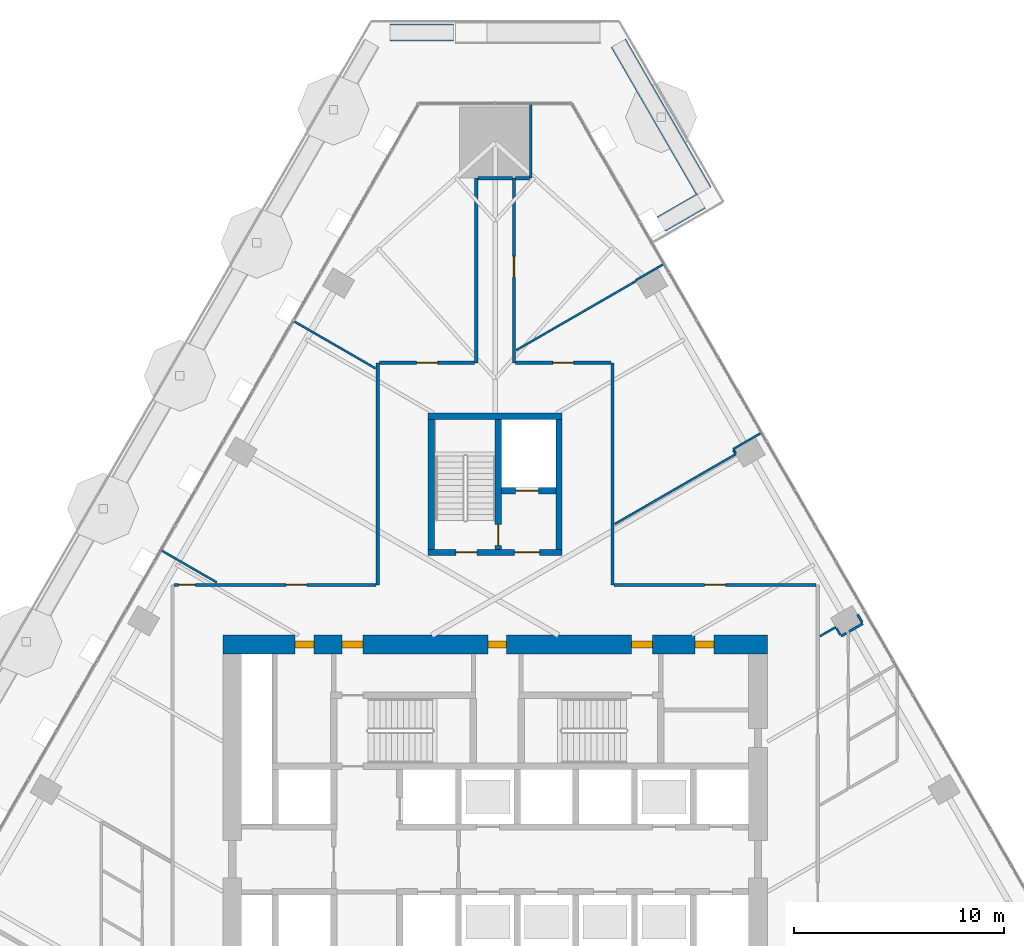
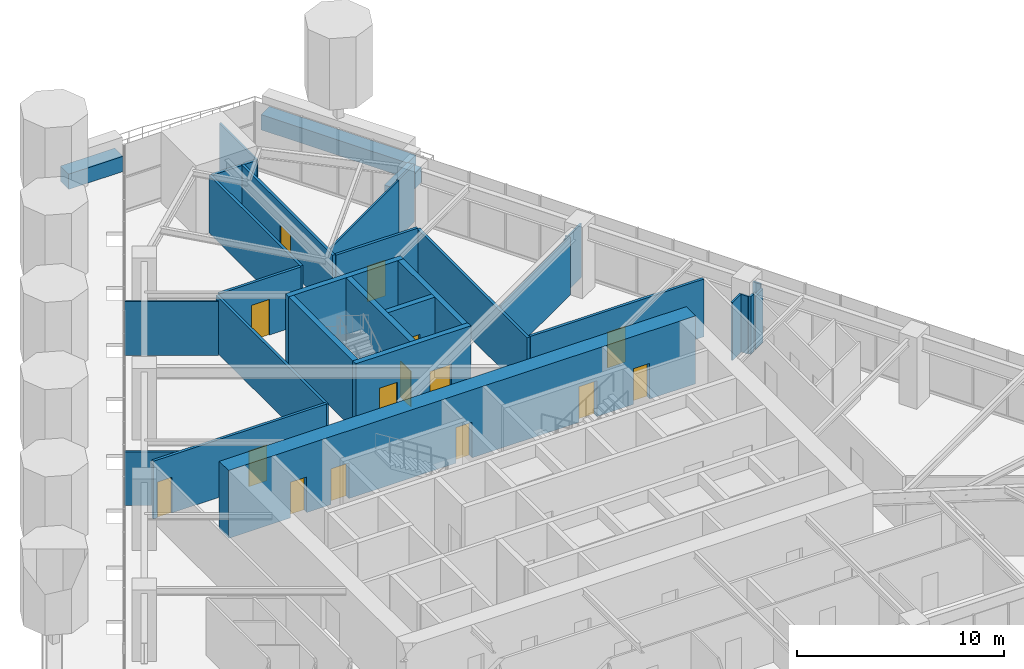
# One storey, part 20 of 25: 33 walls, 15 doors, 15 openings.
"""IFC4 building model written with IfcOpenShell, lengths in metres."""

from ifc_helpers import new_model, si_unit, direction, frame, frame_2d, origin, place, context, subcontext, project, spatial, rectangle, extrude, material, layer, layer_set, type_object, element, fill, save


model = new_model("IFC4")

# Units and contexts
model_context = context("Model", 3, precision=1e-05, world=origin(), true_north=direction((0.0, 1.0)))
body_context = subcontext(model_context, "Body", "Model", "MODEL_VIEW")
ifc_project = project(units=[si_unit("LENGTHUNIT", "METRE"), si_unit("AREAUNIT", "SQUARE_METRE"), si_unit("VOLUMEUNIT", "CUBIC_METRE"), si_unit("PLANEANGLEUNIT", "RADIAN"), si_unit("MASSUNIT", "GRAM", prefix="KILO")], contexts=[model_context])

# Site, building, storey
site_placement = place(None, origin())
site = spatial("IfcSite", under=ifc_project, at=site_placement, CompositionType="ELEMENT")
building_placement = place(site_placement, origin())
building = spatial("IfcBuilding", under=site, at=building_placement, Name="Firuza Gate Tower and Library", CompositionType="ELEMENT")
storey_placement = place(building_placement, frame((0.0, 0.0, 119.800048828125)))
storey = spatial("IfcBuildingStorey", under=building, at=storey_placement, Name="L27", CompositionType="ELEMENT", Elevation=119.800048828125)

# Wall, openings, doors
ifc_material_1 = material(Name="Concrete C80/95", Category="concrete")
ifc_layer_1 = layer(ifc_material_1, 0.300048828125)
ifc_layer_set_1 = layer_set([ifc_layer_1], Name="Core wall 300 C80/95")
wall_type_1 = type_object("IfcWallType", Name="Core wall 300 C80/95", PredefinedType="SHEAR", material=ifc_layer_set_1)
wall_1_placement = place(storey_placement, frame((71.800048828125, 87.949951171875, 0.0), z_axis=(0.0, 0.0, 1.0), x_axis=(1.0, 0.0, 0.0)))
wall_1 = element("IfcWall", 1, at=wall_1_placement, inside=storey, type_object=wall_type_1, Name="Core wall L27 34", PredefinedType="SHEAR", context=body_context, shape_type="SweptSolid", body=[
    extrude(rectangle(XDim=6.39990234375, YDim=0.300048828125, at=frame_2d((3.199951171875, 0.0))), origin(), (0.0, 0.0, 1.0), 4.0),
])
opening_1_placement = place(wall_1_placement, frame((1.324951171875, 0.0, 0.0)))
opening_1 = element("IfcOpeningElement", 2, at=opening_1_placement, cuts=wall_1, Name="Opening L27-K17", PredefinedType="OPENING", context=body_context, shape_type="SweptSolid", body=[
    extrude(rectangle(XDim=1.0, YDim=2.10009765625, at=frame_2d((0.5, 1.050048828125))), frame((0.0, 0.16015625, 0.0), z_axis=(0.0, -1.0, 0.0), x_axis=(1.0, 0.0, 0.0)), (0.0, 0.0, 1.0), 0.320068359375),
])
opening_2_placement = place(wall_1_placement, frame((4.125, 0.0, 0.0)))
opening_2 = element("IfcOpeningElement", 3, at=opening_2_placement, cuts=wall_1, Name="Opening L27-K19", PredefinedType="OPENING", context=body_context, shape_type="SweptSolid", body=[
    extrude(rectangle(XDim=1.199951171875, YDim=2.10009765625, at=frame_2d((0.60009765625, 1.050048828125))), frame((0.0, 0.16015625, 0.0), z_axis=(0.0, -1.0, 0.0), x_axis=(1.0, 0.0, 0.0)), (0.0, 0.0, 1.0), 0.320068359375),
])
ifc_material_2 = material(Name="Steel", Category="steel")
door_type_1 = type_object("IfcDoorType", Name="Fire door 1000x2100 FD90", OperationType="NOTDEFINED", PredefinedType="DOOR", material=ifc_material_2)
door_1_placement = place(opening_1_placement, origin())
door_1 = element("IfcDoor", 4, at=door_1_placement, inside=storey, type_object=door_type_1, Name="Door L27-K17", OperationType="SINGLE_SWING_RIGHT", OverallHeight=2.10009765625, OverallWidth=1.0, PredefinedType="DOOR", context=body_context, shape_type="SweptSolid", body=[
    extrude(rectangle(XDim=1.0, YDim=2.10009765625, at=frame_2d((0.5, 1.050048828125))), frame((0.0, 0.02490234375, 0.0), z_axis=(0.0, -1.0, 0.0), x_axis=(1.0, 0.0, 0.0)), (0.0, 0.0, 1.0), 0.050048828125),
])
fill(opening_1, door_1)
ifc_material_3 = material(Name="Steel", Category="steel")
door_type_2 = type_object("IfcDoorType", Name="Fire door 1200x2100 FD30S", OperationType="NOTDEFINED", PredefinedType="DOOR", material=ifc_material_3)
door_2_placement = place(opening_2_placement, origin())
door_2 = element("IfcDoor", 5, at=door_2_placement, inside=storey, type_object=door_type_2, Name="Door L27-K19", OperationType="SINGLE_SWING_RIGHT", OverallHeight=2.10009765625, OverallWidth=1.199951171875, PredefinedType="DOOR", context=body_context, shape_type="SweptSolid", body=[
    extrude(rectangle(XDim=1.199951171875, YDim=2.10009765625, at=frame_2d((0.60009765625, 1.050048828125))), frame((0.0, 0.02490234375, 0.0), z_axis=(0.0, -1.0, 0.0), x_axis=(1.0, 0.0, 0.0)), (0.0, 0.0, 1.0), 0.050048828125),
])
fill(opening_2, door_2)

# Walls
wall_2_placement = place(storey_placement, frame((71.800048828125, 94.449951171875, 0.0), z_axis=(0.0, 0.0, 1.0), x_axis=(1.0, 0.0, 0.0)))
element("IfcWall", 6, at=wall_2_placement, inside=storey, type_object=wall_type_1, Name="Core wall L27 35", PredefinedType="SHEAR", context=body_context, shape_type="SweptSolid", body=[
    extrude(rectangle(XDim=6.39990234375, YDim=0.300048828125, at=frame_2d((3.199951171875, 0.0))), origin(), (0.0, 0.0, 1.0), 4.0),
])
for number, where, z_axis, x_axis, name in (
    (7, (71.949951171875, 88.10009765625, 0.0), (0.0, 0.0, 1.0), (0.0, 1.0, 0.0), "Core wall L27 36"),
    (8, (78.050048828125, 88.10009765625, 0.0), (0.0, 0.0, 1.0), (0.0, 1.0, 0.0), "Core wall L27 37"),
):
    element("IfcWall", number, at=place(storey_placement, frame(where, z_axis=z_axis, x_axis=x_axis)), inside=storey, type_object=wall_type_1, Name=name, PredefinedType="SHEAR", context=body_context, shape_type="SweptSolid", body=[
        extrude(rectangle(XDim=6.199951171875, YDim=0.300048828125, at=frame_2d((3.10009765625, 0.0))), origin(), (0.0, 0.0, 1.0), 4.0),
    ])

# Wall, opening, door
wall_3_placement = place(storey_placement, frame((75.300048828125, 90.89990234375, 0.0), z_axis=(0.0, 0.0, 1.0), x_axis=(1.0, 0.0, 0.0)))
wall_3 = element("IfcWall", 9, at=wall_3_placement, inside=storey, type_object=wall_type_1, Name="Core wall L27 38", PredefinedType="SHEAR", context=body_context, shape_type="SweptSolid", body=[
    extrude(rectangle(XDim=2.599853515625, YDim=0.300048828125, at=frame_2d((1.2998046875, 0.0))), origin(), (0.0, 0.0, 1.0), 4.0),
])
opening_3_placement = place(wall_3_placement, frame((0.675048828125, 0.0, 0.0)))
opening_3 = element("IfcOpeningElement", 10, at=opening_3_placement, cuts=wall_3, Name="Opening LD-SV1-L27", PredefinedType="OPENING", context=body_context, shape_type="SweptSolid", body=[
    extrude(rectangle(XDim=1.10009765625, YDim=2.10009765625, at=frame_2d((0.550048828125, 1.050048828125))), frame((0.0, 0.16015625, 0.0), z_axis=(0.0, -1.0, 0.0), x_axis=(1.0, 0.0, 0.0)), (0.0, 0.0, 1.0), 0.320068359375),
])
ifc_material_4 = material(Name="Stainless steel", Category="steel")
door_type_3 = type_object("IfcDoorType", Name="Lift landing door 1100x2100", OperationType="DOUBLE_DOOR_SLIDING", PredefinedType="DOOR", material=ifc_material_4)
door_3_placement = place(opening_3_placement, origin())
door_3 = element("IfcDoor", 11, at=door_3_placement, inside=storey, type_object=door_type_3, Name="Landing door SV1 L27", OperationType="DOUBLE_DOOR_SLIDING", OverallHeight=2.10009765625, OverallWidth=1.10009765625, PredefinedType="DOOR", context=body_context, shape_type="SweptSolid", body=[
    extrude(rectangle(XDim=1.10009765625, YDim=2.10009765625, at=frame_2d((0.550048828125, 1.050048828125))), frame((0.0, 0.02490234375, 0.0), z_axis=(0.0, -1.0, 0.0), x_axis=(1.0, 0.0, 0.0)), (0.0, 0.0, 1.0), 0.050048828125),
])
fill(opening_3, door_3)

wall_4_placement = place(storey_placement, frame((75.14990234375, 88.10009765625, 0.0), z_axis=(0.0, 0.0, 1.0), x_axis=(0.0, 1.0, 0.0)))
wall_4 = element("IfcWall", 12, at=wall_4_placement, inside=storey, type_object=wall_type_1, Name="Core wall L27 39", PredefinedType="SHEAR", context=body_context, shape_type="SweptSolid", body=[
    extrude(rectangle(XDim=6.199951171875, YDim=0.300048828125, at=frame_2d((3.10009765625, 0.0))), origin(), (0.0, 0.0, 1.0), 4.0),
])
opening_4_placement = place(wall_4_placement, frame((0.18505859375, 0.0, 0.0)))
opening_4 = element("IfcOpeningElement", 13, at=opening_4_placement, cuts=wall_4, Name="Opening L27-K18", PredefinedType="OPENING", context=body_context, shape_type="SweptSolid", body=[
    extrude(rectangle(XDim=1.0, YDim=2.10009765625, at=frame_2d((0.5, 1.050048828125))), frame((0.0, 0.16015625, 0.0), z_axis=(0.0, -1.0, 0.0), x_axis=(1.0, 0.0, 0.0)), (0.0, 0.0, 1.0), 0.320068359375),
])
door_4_placement = place(opening_4_placement, origin())
door_4 = element("IfcDoor", 14, at=door_4_placement, inside=storey, type_object=door_type_1, Name="Door L27-K18", OperationType="SINGLE_SWING_LEFT", OverallHeight=2.10009765625, OverallWidth=1.0, PredefinedType="DOOR", context=body_context, shape_type="SweptSolid", body=[
    extrude(rectangle(XDim=1.0, YDim=2.10009765625, at=frame_2d((0.5, 1.050048828125))), frame((0.0, 0.02490234375, 0.0), z_axis=(0.0, -1.0, 0.0), x_axis=(1.0, 0.0, 0.0)), (0.0, 0.0, 1.0), 0.050048828125),
])
fill(opening_4, door_4)

# Wall, openings, doors
ifc_material_5 = material(Name="Concrete C80/95", Category="concrete")
ifc_layer_2 = layer(ifc_material_5, 0.89990234375)
ifc_layer_set_2 = layer_set([ifc_layer_2], Name="Core wall 900 C80/95")
wall_type_2 = type_object("IfcWallType", Name="Core wall 900 C80/95", PredefinedType="SHEAR", material=ifc_layer_set_2)
wall_5_placement = place(storey_placement, frame((62.0, 83.550048828125, 0.0), z_axis=(0.0, 0.0, 1.0), x_axis=(1.0, 0.0, 0.0)))
wall_5 = element("IfcWall", 15, at=wall_5_placement, inside=storey, type_object=wall_type_2, Name="Core wall L27 2", PredefinedType="SHEAR", context=body_context, shape_type="SweptSolid", body=[
    extrude(rectangle(XDim=26.0, YDim=0.89990234375, at=frame_2d((13.0, 0.0))), origin(), (0.0, 0.0, 1.0), 4.0),
])
opening_5_placement = place(wall_5_placement, frame((5.695068359375, 0.0, 0.0)))
opening_5 = element("IfcOpeningElement", 16, at=opening_5_placement, cuts=wall_5, Name="Opening L27-K14", PredefinedType="OPENING", context=body_context, shape_type="SweptSolid", body=[
    extrude(rectangle(XDim=1.0, YDim=2.10009765625, at=frame_2d((0.5, 1.050048828125))), frame((0.0, 0.4599609375, 0.0), z_axis=(0.0, -1.0, 0.0), x_axis=(1.0, 0.0, 0.0)), (0.0, 0.0, 1.0), 0.919921875),
])
opening_6_placement = place(wall_5_placement, frame((19.5048828125, 0.0, 0.0)))
opening_6 = element("IfcOpeningElement", 17, at=opening_6_placement, cuts=wall_5, Name="Opening L27-K16", PredefinedType="OPENING", context=body_context, shape_type="SweptSolid", body=[
    extrude(rectangle(XDim=1.0, YDim=2.10009765625, at=frame_2d((0.5, 1.050048828125))), frame((0.0, 0.4599609375, 0.0), z_axis=(0.0, -1.0, 0.0), x_axis=(1.0, 0.0, 0.0)), (0.0, 0.0, 1.0), 0.919921875),
])
opening_7_placement = place(wall_5_placement, frame((3.449951171875, 0.0, 0.0)))
opening_7 = element("IfcOpeningElement", 18, at=opening_7_placement, cuts=wall_5, Name="Opening L27-K29", PredefinedType="OPENING", context=body_context, shape_type="SweptSolid", body=[
    extrude(rectangle(XDim=0.89990234375, YDim=2.10009765625, at=frame_2d((0.449951171875, 1.050048828125))), frame((0.0, 0.4599609375, 0.0), z_axis=(0.0, -1.0, 0.0), x_axis=(1.0, 0.0, 0.0)), (0.0, 0.0, 1.0), 0.919921875),
])
opening_8_placement = place(wall_5_placement, frame((12.64990234375, 0.0, 0.0)))
opening_8 = element("IfcOpeningElement", 19, at=opening_8_placement, cuts=wall_5, Name="Opening L27-K30", PredefinedType="OPENING", context=body_context, shape_type="SweptSolid", body=[
    extrude(rectangle(XDim=0.89990234375, YDim=2.10009765625, at=frame_2d((0.449951171875, 1.050048828125))), frame((0.0, 0.4599609375, 0.0), z_axis=(0.0, -1.0, 0.0), x_axis=(1.0, 0.0, 0.0)), (0.0, 0.0, 1.0), 0.919921875),
])
opening_9_placement = place(wall_5_placement, frame((22.550048828125, 0.0, 0.0)))
opening_9 = element("IfcOpeningElement", 20, at=opening_9_placement, cuts=wall_5, Name="Opening L27-K32", PredefinedType="OPENING", context=body_context, shape_type="SweptSolid", body=[
    extrude(rectangle(XDim=0.89990234375, YDim=2.10009765625, at=frame_2d((0.449951171875, 1.050048828125))), frame((0.0, 0.4599609375, 0.0), z_axis=(0.0, -1.0, 0.0), x_axis=(1.0, 0.0, 0.0)), (0.0, 0.0, 1.0), 0.919921875),
])
door_5_placement = place(opening_5_placement, origin())
door_5 = element("IfcDoor", 21, at=door_5_placement, inside=storey, type_object=door_type_1, Name="Door L27-K14", OperationType="SINGLE_SWING_LEFT", OverallHeight=2.10009765625, OverallWidth=1.0, PredefinedType="DOOR", context=body_context, shape_type="SweptSolid", body=[
    extrude(rectangle(XDim=1.0, YDim=2.10009765625, at=frame_2d((0.5, 1.050048828125))), frame((0.0, 0.169921875, 0.0), z_axis=(0.0, -1.0, 0.0), x_axis=(1.0, 0.0, 0.0)), (0.0, 0.0, 1.0), 0.33984375),
])
fill(opening_5, door_5)
door_6_placement = place(opening_6_placement, origin())
door_6 = element("IfcDoor", 22, at=door_6_placement, inside=storey, type_object=door_type_1, Name="Door L27-K16", OperationType="SINGLE_SWING_LEFT", OverallHeight=2.10009765625, OverallWidth=1.0, PredefinedType="DOOR", context=body_context, shape_type="SweptSolid", body=[
    extrude(rectangle(XDim=1.0, YDim=2.10009765625, at=frame_2d((0.5, 1.050048828125))), frame((0.0, 0.169921875, 0.0), z_axis=(0.0, -1.0, 0.0), x_axis=(1.0, 0.0, 0.0)), (0.0, 0.0, 1.0), 0.33984375),
])
fill(opening_6, door_6)
ifc_material_6 = material(Name="Steel", Category="steel")
door_type_4 = type_object("IfcDoorType", Name="Fire door 900x2100 FD30S", OperationType="NOTDEFINED", PredefinedType="DOOR", material=ifc_material_6)
door_7_placement = place(opening_7_placement, origin())
door_7 = element("IfcDoor", 23, at=door_7_placement, inside=storey, type_object=door_type_4, Name="Door L27-K29", OperationType="SINGLE_SWING_RIGHT", OverallHeight=2.10009765625, OverallWidth=0.89990234375, PredefinedType="DOOR", context=body_context, shape_type="SweptSolid", body=[
    extrude(rectangle(XDim=0.89990234375, YDim=2.10009765625, at=frame_2d((0.449951171875, 1.050048828125))), frame((0.0, 0.169921875, 0.0), z_axis=(0.0, -1.0, 0.0), x_axis=(1.0, 0.0, 0.0)), (0.0, 0.0, 1.0), 0.33984375),
])
fill(opening_7, door_7)
door_8_placement = place(opening_8_placement, origin())
door_8 = element("IfcDoor", 24, at=door_8_placement, inside=storey, type_object=door_type_4, Name="Door L27-K30", OperationType="SINGLE_SWING_LEFT", OverallHeight=2.10009765625, OverallWidth=0.89990234375, PredefinedType="DOOR", context=body_context, shape_type="SweptSolid", body=[
    extrude(rectangle(XDim=0.89990234375, YDim=2.10009765625, at=frame_2d((0.449951171875, 1.050048828125))), frame((0.0, 0.169921875, 0.0), z_axis=(0.0, -1.0, 0.0), x_axis=(1.0, 0.0, 0.0)), (0.0, 0.0, 1.0), 0.33984375),
])
fill(opening_8, door_8)
door_9_placement = place(opening_9_placement, origin())
door_9 = element("IfcDoor", 25, at=door_9_placement, inside=storey, type_object=door_type_4, Name="Door L27-K32", OperationType="SINGLE_SWING_LEFT", OverallHeight=2.10009765625, OverallWidth=0.89990234375, PredefinedType="DOOR", context=body_context, shape_type="SweptSolid", body=[
    extrude(rectangle(XDim=0.89990234375, YDim=2.10009765625, at=frame_2d((0.449951171875, 1.050048828125))), frame((0.0, 0.169921875, 0.0), z_axis=(0.0, -1.0, 0.0), x_axis=(1.0, 0.0, 0.0)), (0.0, 0.0, 1.0), 0.33984375),
])
fill(opening_9, door_9)

ifc_material_7 = material(Name="Gypsum board partition")
ifc_layer_3 = layer(ifc_material_7, 0.14990234375)
ifc_layer_set_3 = layer_set([ifc_layer_3], Name="Corridor wall 150 double board on steel studs")
wall_type_3 = type_object("IfcWallType", Name="Corridor wall 150 double board on steel studs", PredefinedType="PARTITIONING", material=ifc_layer_set_3)
wall_6_placement = place(storey_placement, frame((59.675537109375, 86.39990234375, 0.0), z_axis=(0.0, 0.0, 1.0), x_axis=(1.0, 0.0, 0.0)))
wall_6 = element("IfcWall", 26, at=wall_6_placement, inside=storey, type_object=wall_type_3, Name="f:L27:w005", PredefinedType="PARTITIONING", context=body_context, shape_type="SweptSolid", body=[
    extrude(rectangle(XDim=9.6494140625, YDim=0.14990234375, at=frame_2d((4.82470703125, 0.0))), origin(), (0.0, 0.0, 1.0), 3.39990234375),
])
opening_10_placement = place(wall_6_placement, frame((0.222900390625, 0.0, 0.0)))
opening_10 = element("IfcOpeningElement", 27, at=opening_10_placement, cuts=wall_6, Name="Opening L27-10", PredefinedType="OPENING", context=body_context, shape_type="SweptSolid", body=[
    extrude(rectangle(XDim=0.800048828125, YDim=2.10009765625, at=frame_2d((0.39990234375, 1.050048828125))), frame((0.0, 0.0849609375, 0.0), z_axis=(0.0, -1.0, 0.0), x_axis=(1.0, 0.0, 0.0)), (0.0, 0.0, 1.0), 0.169921875),
])
opening_11_placement = place(wall_6_placement, frame((5.343017578125, 0.0, 0.0)))
opening_11 = element("IfcOpeningElement", 28, at=opening_11_placement, cuts=wall_6, Name="Opening L27-11", PredefinedType="OPENING", context=body_context, shape_type="SweptSolid", body=[
    extrude(rectangle(XDim=1.0, YDim=2.10009765625, at=frame_2d((0.5, 1.050048828125))), frame((0.0, 0.0849609375, 0.0), z_axis=(0.0, -1.0, 0.0), x_axis=(1.0, 0.0, 0.0)), (0.0, 0.0, 1.0), 0.169921875),
])
ifc_material_8 = material(Name="Timber door", Category="wood")
door_type_5 = type_object("IfcDoorType", Name="Door 800 x 2100 timber leaf", OperationType="NOTDEFINED", PredefinedType="DOOR", material=ifc_material_8)
door_10_placement = place(opening_10_placement, origin())
door_10 = element("IfcDoor", 29, at=door_10_placement, inside=storey, type_object=door_type_5, Name="f:L27:d010", OperationType="SINGLE_SWING_LEFT", OverallHeight=2.10009765625, OverallWidth=0.800048828125, PredefinedType="DOOR", context=body_context, shape_type="SweptSolid", body=[
    extrude(rectangle(XDim=0.800048828125, YDim=2.10009765625, at=frame_2d((0.39990234375, 1.050048828125))), frame((0.0, 0.02490234375, 0.0), z_axis=(0.0, -1.0, 0.0), x_axis=(1.0, 0.0, 0.0)), (0.0, 0.0, 1.0), 0.050048828125),
])
fill(opening_10, door_10)
ifc_material_9 = material(Name="Steel door and timber leaf", Category="steel")
door_type_6 = type_object("IfcDoorType", Name="Fire door 1000 x 2100 steel frame, timber leaf", OperationType="NOTDEFINED", PredefinedType="DOOR", material=ifc_material_9)
door_11_placement = place(opening_11_placement, origin())
door_11 = element("IfcDoor", 30, at=door_11_placement, inside=storey, type_object=door_type_6, Name="f:L27:d011", OperationType="SINGLE_SWING_RIGHT", OverallHeight=2.10009765625, OverallWidth=1.0, PredefinedType="DOOR", context=body_context, shape_type="SweptSolid", body=[
    extrude(rectangle(XDim=1.0, YDim=2.10009765625, at=frame_2d((0.5, 1.050048828125))), frame((0.0, 0.02490234375, 0.0), z_axis=(0.0, -1.0, 0.0), x_axis=(1.0, 0.0, 0.0)), (0.0, 0.0, 1.0), 0.050048828125),
])
fill(opening_11, door_11)

# Wall, opening, door
wall_7_placement = place(storey_placement, frame((80.675048828125, 86.39990234375, 0.0), z_axis=(0.0, 0.0, 1.0), x_axis=(1.0, 0.0, 0.0)))
wall_7 = element("IfcWall", 31, at=wall_7_placement, inside=storey, type_object=wall_type_3, Name="f:L27:w006", PredefinedType="PARTITIONING", context=body_context, shape_type="SweptSolid", body=[
    extrude(rectangle(XDim=9.6494140625, YDim=0.14990234375, at=frame_2d((4.82470703125, 0.0))), origin(), (0.0, 0.0, 1.0), 3.39990234375),
])
opening_12_placement = place(wall_7_placement, frame((4.32470703125, 0.0, 0.0)))
opening_12 = element("IfcOpeningElement", 32, at=opening_12_placement, cuts=wall_7, Name="Opening L27-12", PredefinedType="OPENING", context=body_context, shape_type="SweptSolid", body=[
    extrude(rectangle(XDim=1.0, YDim=2.10009765625, at=frame_2d((0.5, 1.050048828125))), frame((0.0, 0.0849609375, 0.0), z_axis=(0.0, -1.0, 0.0), x_axis=(1.0, 0.0, 0.0)), (0.0, 0.0, 1.0), 0.169921875),
])
door_12_placement = place(opening_12_placement, origin())
door_12 = element("IfcDoor", 33, at=door_12_placement, inside=storey, type_object=door_type_6, Name="f:L27:d012", OperationType="SINGLE_SWING_RIGHT", OverallHeight=2.10009765625, OverallWidth=1.0, PredefinedType="DOOR", context=body_context, shape_type="SweptSolid", body=[
    extrude(rectangle(XDim=1.0, YDim=2.10009765625, at=frame_2d((0.5, 1.050048828125))), frame((0.0, 0.02490234375, 0.0), z_axis=(0.0, -1.0, 0.0), x_axis=(1.0, 0.0, 0.0)), (0.0, 0.0, 1.0), 0.050048828125),
])
fill(opening_12, door_12)

wall_8_placement = place(storey_placement, frame((69.4755859375, 97.0, 0.0), z_axis=(0.0, 0.0, 1.0), x_axis=(1.0, 0.0, 0.0)))
wall_8 = element("IfcWall", 34, at=wall_8_placement, inside=storey, type_object=wall_type_3, Name="f:L27:w007", PredefinedType="PARTITIONING", context=body_context, shape_type="SweptSolid", body=[
    extrude(rectangle(XDim=4.54931640625, YDim=0.14990234375, at=frame_2d((2.274658203125, 0.0))), origin(), (0.0, 0.0, 1.0), 3.39990234375),
])
opening_13_placement = place(wall_8_placement, frame((1.774658203125, 0.0, 0.0)))
opening_13 = element("IfcOpeningElement", 35, at=opening_13_placement, cuts=wall_8, Name="Opening L27-13", PredefinedType="OPENING", context=body_context, shape_type="SweptSolid", body=[
    extrude(rectangle(XDim=1.0, YDim=2.10009765625, at=frame_2d((0.5, 1.050048828125))), frame((0.0, 0.0849609375, 0.0), z_axis=(0.0, -1.0, 0.0), x_axis=(1.0, 0.0, 0.0)), (0.0, 0.0, 1.0), 0.169921875),
])
door_13_placement = place(opening_13_placement, origin())
door_13 = element("IfcDoor", 36, at=door_13_placement, inside=storey, type_object=door_type_6, Name="f:L27:d013", OperationType="SINGLE_SWING_LEFT", OverallHeight=2.10009765625, OverallWidth=1.0, PredefinedType="DOOR", context=body_context, shape_type="SweptSolid", body=[
    extrude(rectangle(XDim=1.0, YDim=2.10009765625, at=frame_2d((0.5, 1.050048828125))), frame((0.0, 0.02490234375, 0.0), z_axis=(0.0, -1.0, 0.0), x_axis=(1.0, 0.0, 0.0)), (0.0, 0.0, 1.0), 0.050048828125),
])
fill(opening_13, door_13)

wall_9_placement = place(storey_placement, frame((80.5244140625, 97.0, 0.0), z_axis=(0.0, 0.0, 1.0), x_axis=(-1.0, 0.0, 0.0)))
wall_9 = element("IfcWall", 37, at=wall_9_placement, inside=storey, type_object=wall_type_3, Name="f:L27:w008", PredefinedType="PARTITIONING", context=body_context, shape_type="SweptSolid", body=[
    extrude(rectangle(XDim=4.54931640625, YDim=0.14990234375, at=frame_2d((2.274658203125, 0.0))), origin(), (0.0, 0.0, 1.0), 3.39990234375),
])
opening_14_placement = place(wall_9_placement, frame((1.774658203125, 0.0, 0.0)))
opening_14 = element("IfcOpeningElement", 38, at=opening_14_placement, cuts=wall_9, Name="Opening L27-14", PredefinedType="OPENING", context=body_context, shape_type="SweptSolid", body=[
    extrude(rectangle(XDim=1.0, YDim=2.10009765625, at=frame_2d((0.5, 1.050048828125))), frame((0.0, 0.0849609375, 0.0), z_axis=(0.0, -1.0, 0.0), x_axis=(1.0, 0.0, 0.0)), (0.0, 0.0, 1.0), 0.169921875),
])
door_14_placement = place(opening_14_placement, origin())
door_14 = element("IfcDoor", 39, at=door_14_placement, inside=storey, type_object=door_type_6, Name="f:L27:d014", OperationType="SINGLE_SWING_RIGHT", OverallHeight=2.10009765625, OverallWidth=1.0, PredefinedType="DOOR", context=body_context, shape_type="SweptSolid", body=[
    extrude(rectangle(XDim=1.0, YDim=2.10009765625, at=frame_2d((0.5, 1.050048828125))), frame((0.0, 0.02490234375, 0.0), z_axis=(0.0, -1.0, 0.0), x_axis=(1.0, 0.0, 0.0)), (0.0, 0.0, 1.0), 0.050048828125),
])
fill(opening_14, door_14)

# Walls
wall_10_placement = place(storey_placement, frame((74.175537109375, 105.81201171875, 0.0), z_axis=(0.0, 0.0, 1.0), x_axis=(1.0, 0.0, 0.0)))
element("IfcWall", 40, at=wall_10_placement, inside=storey, type_object=wall_type_3, Name="f:L27:w009", PredefinedType="PARTITIONING", context=body_context, shape_type="SweptSolid", body=[
    extrude(rectangle(XDim=1.6494140625, YDim=0.14990234375, at=frame_2d((0.82470703125, 0.0))), origin(), (0.0, 0.0, 1.0), 3.39697265625),
])
wall_11_placement = place(storey_placement, frame((80.60009765625, 86.39990234375, 0.0), z_axis=(0.0, 0.0, 1.0), x_axis=(0.0, 1.0, 0.0)))
element("IfcWall", 41, at=wall_11_placement, inside=storey, type_object=wall_type_3, Name="f:L27:w031", PredefinedType="PARTITIONING", context=body_context, shape_type="SweptSolid", body=[
    extrude(rectangle(XDim=10.599609375, YDim=0.14990234375, at=frame_2d((5.2998046875, 0.0))), origin(), (0.0, 0.0, 1.0), 3.322021484375),
])

# Wall, opening, door
wall_12_placement = place(storey_placement, frame((75.89990234375, 105.81201171875, 0.0), z_axis=(0.0, 0.0, 1.0), x_axis=(0.0, -1.0, 0.0)))
wall_12 = element("IfcWall", 42, at=wall_12_placement, inside=storey, type_object=wall_type_3, Name="f:L27:w034", PredefinedType="PARTITIONING", context=body_context, shape_type="SweptSolid", body=[
    extrude(rectangle(XDim=8.81201171875, YDim=0.14990234375, at=frame_2d((4.406005859375, 0.0))), origin(), (0.0, 0.0, 1.0), 3.39990234375),
])
opening_15_placement = place(wall_12_placement, frame((3.737548828125, 0.0, 0.0)))
opening_15 = element("IfcOpeningElement", 43, at=opening_15_placement, cuts=wall_12, Name="Opening L27-24", PredefinedType="OPENING", context=body_context, shape_type="SweptSolid", body=[
    extrude(rectangle(XDim=1.0, YDim=2.10009765625, at=frame_2d((0.5, 1.050048828125))), frame((0.0, 0.0849609375, 0.0), z_axis=(0.0, -1.0, 0.0), x_axis=(1.0, 0.0, 0.0)), (0.0, 0.0, 1.0), 0.169921875),
])
door_15_placement = place(opening_15_placement, origin())
door_15 = element("IfcDoor", 44, at=door_15_placement, inside=storey, type_object=door_type_6, Name="f:L27:d024", OperationType="SINGLE_SWING_LEFT", OverallHeight=2.10009765625, OverallWidth=1.0, PredefinedType="DOOR", context=body_context, shape_type="SweptSolid", body=[
    extrude(rectangle(XDim=1.0, YDim=2.10009765625, at=frame_2d((0.5, 1.050048828125))), frame((0.0, 0.02490234375, 0.0), z_axis=(0.0, -1.0, 0.0), x_axis=(1.0, 0.0, 0.0)), (0.0, 0.0, 1.0), 0.050048828125),
])
fill(opening_15, door_15)

# Walls
wall_13_placement = place(storey_placement, frame((74.10009765625, 97.0, 0.0), z_axis=(0.0, 0.0, 1.0), x_axis=(0.0, 1.0, 0.0)))
element("IfcWall", 45, at=wall_13_placement, inside=storey, type_object=wall_type_3, Name="f:L27:w037", PredefinedType="PARTITIONING", context=body_context, shape_type="SweptSolid", body=[
    extrude(rectangle(XDim=8.8115234375, YDim=0.14990234375, at=frame_2d((4.40576171875, 0.0))), origin(), (0.0, 0.0, 1.0), 3.39990234375),
])
wall_14_placement = place(storey_placement, frame((69.39990234375, 86.39990234375, 0.0), z_axis=(0.0, 0.0, 1.0), x_axis=(0.0, 1.0, 0.0)))
element("IfcWall", 46, at=wall_14_placement, inside=storey, type_object=wall_type_3, Name="f:L27:w039", PredefinedType="PARTITIONING", context=body_context, shape_type="SweptSolid", body=[
    extrude(rectangle(XDim=10.599609375, YDim=0.14990234375, at=frame_2d((5.2998046875, 0.0))), origin(), (0.0, 0.0, 1.0), 3.322021484375),
])
wall_15_placement = place(storey_placement, frame((75.97509765625, 105.81201171875, 0.0), z_axis=(0.0, 0.0, 1.0), x_axis=(1.0, 0.0, 0.0)))
element("IfcWall", 47, at=wall_15_placement, inside=storey, type_object=wall_type_3, Name="f:L27:w062", PredefinedType="PARTITIONING", context=body_context, shape_type="SweptSolid", body=[
    extrude(rectangle(XDim=0.67431640625, YDim=0.14990234375, at=frame_2d((0.337158203125, 0.0))), origin(), (0.0, 0.0, 1.0), 3.39990234375),
])
ifc_material_10 = material(Name="Gypsum board partition")
ifc_layer_4 = layer(ifc_material_10, 0.10009765625)
ifc_layer_set_4 = layer_set([ifc_layer_4], Name="Partition 100 gypsum board on steel studs")
wall_type_4 = type_object("IfcWallType", Name="Partition 100 gypsum board on steel studs", PredefinedType="PARTITIONING", material=ifc_layer_set_4)
wall_16_placement = place(storey_placement, frame((90.5009765625, 83.94970703125, 0.0), z_axis=(0.0, 0.0, 1.0), x_axis=(0.866069322143, 0.499923923456, 0.0)))
element("IfcWall", 48, at=wall_16_placement, inside=storey, type_object=wall_type_4, Name="f:L27:w016", PredefinedType="PARTITIONING", context=body_context, shape_type="SweptSolid", body=[
    extrude(rectangle(XDim=0.874267578125, YDim=0.10009765625, at=frame_2d((0.43701171875, 0.0))), origin(), (0.0, 0.0, 1.0), 3.39990234375),
])
wall_17_placement = place(storey_placement, frame((80.700927734375, 89.3017578125, 0.0), z_axis=(0.0, 0.0, 1.0), x_axis=(0.866032345022, 0.499987977232, 0.0)))
element("IfcWall", 49, at=wall_17_placement, inside=storey, type_object=wall_type_4, Name="f:L27:w021", PredefinedType="PARTITIONING", context=body_context, shape_type="SweptSolid", body=[
    extrude(rectangle(XDim=6.685791015625, YDim=0.10009765625, at=frame_2d((3.3427734375, 0.0))), origin(), (0.0, 0.0, 1.0), 3.39990234375),
])
wall_18_placement = place(storey_placement, frame((86.3564453125, 92.878662109375, 0.0), z_axis=(0.0, 0.0, 1.0), x_axis=(0.866018739521, 0.500011542666, 0.0)))
element("IfcWall", 50, at=wall_18_placement, inside=storey, type_object=wall_type_4, Name="f:L27:w022", PredefinedType="PARTITIONING", context=body_context, shape_type="SweptSolid", body=[
    extrude(rectangle(XDim=1.5595703125, YDim=0.10009765625, at=frame_2d((0.77978515625, 0.0))), origin(), (0.0, 0.0, 1.0), 3.1650390625),
])
wall_19_placement = place(storey_placement, frame((76.0009765625, 97.59814453125, 0.0), z_axis=(0.0, 0.0, 1.0), x_axis=(0.866017611601, 0.500013496215, 0.0)))
element("IfcWall", 51, at=wall_19_placement, inside=storey, type_object=wall_type_4, Name="f:L27:w023", PredefinedType="PARTITIONING", context=body_context, shape_type="SweptSolid", body=[
    extrude(rectangle(XDim=6.607666015625, YDim=0.10009765625, at=frame_2d((3.3037109375, 0.0))), origin(), (0.0, 0.0, 1.0), 3.39990234375),
])
wall_20_placement = place(storey_placement, frame((81.70361328125, 100.936767578125, 0.0), z_axis=(0.0, 0.0, 1.0), x_axis=(0.865990094875, 0.500061151839, 0.0)))
element("IfcWall", 52, at=wall_20_placement, inside=storey, type_object=wall_type_4, Name="f:L27:w024", PredefinedType="PARTITIONING", context=body_context, shape_type="SweptSolid", body=[
    extrude(rectangle(XDim=1.559814453125, YDim=0.10009765625, at=frame_2d((0.77978515625, 0.0))), origin(), (0.0, 0.0, 1.0), 3.39990234375),
])
wall_21_placement = place(storey_placement, frame((76.699951171875, 105.812744140625, 0.0), z_axis=(0.0, 0.0, 1.0), x_axis=(0.0, 1.0, 0.0)))
element("IfcWall", 53, at=wall_21_placement, inside=storey, type_object=wall_type_4, Name="f:L27:w033", PredefinedType="PARTITIONING", context=body_context, shape_type="SweptSolid", body=[
    extrude(rectangle(XDim=3.559326171875, YDim=0.10009765625, at=frame_2d((1.77978515625, 0.0))), origin(), (0.0, 0.0, 1.0), 3.39990234375),
])
wall_22_placement = place(storey_placement, frame((91.478515625, 84.00634765625, 0.0), z_axis=(0.0, 0.0, 1.0), x_axis=(-0.499649997908, 0.866227383307, 0.0)))
element("IfcWall", 54, at=wall_22_placement, inside=storey, type_object=wall_type_4, Name="f:L27:w048", PredefinedType="PARTITIONING", context=body_context, shape_type="SweptSolid", body=[
    extrude(rectangle(XDim=0.388916015625, YDim=0.10009765625, at=frame_2d((0.1943359375, 0.0))), origin(), (0.0, 0.0, 1.0), 3.39990234375),
])
wall_23_placement = place(storey_placement, frame((86.46630859375, 92.68798828125, 0.0), z_axis=(0.0, 0.0, 1.0), x_axis=(-0.500013496215, 0.866017611601, 0.0)))
element("IfcWall", 55, at=wall_23_placement, inside=storey, type_object=wall_type_4, Name="f:L27:w049", PredefinedType="PARTITIONING", context=body_context, shape_type="SweptSolid", body=[
    extrude(rectangle(XDim=0.16943359375, YDim=0.10009765625, at=frame_2d((0.084716796875, 0.0))), origin(), (0.0, 0.0, 1.0), 3.39990234375),
])
wall_24_placement = place(storey_placement, frame((69.298828125, 96.72998046875, 0.0), z_axis=(0.0, 0.0, 1.0), x_axis=(-0.866033061154, 0.499986736812, 0.0)))
element("IfcWall", 56, at=wall_24_placement, inside=storey, type_object=wall_type_4, Name="f:L27:w051", PredefinedType="PARTITIONING", context=body_context, shape_type="SweptSolid", body=[
    extrude(rectangle(XDim=4.53125, YDim=0.10009765625, at=frame_2d((2.265625, 0.0))), origin(), (0.0, 0.0, 1.0), 3.1650390625),
])
wall_25_placement = place(storey_placement, frame((61.71044921875, 86.520263671875, 0.0), z_axis=(0.0, 0.0, 1.0), x_axis=(-0.866038331766, 0.499977607411, 0.0)))
element("IfcWall", 57, at=wall_25_placement, inside=storey, type_object=wall_type_4, Name="f:L27:w052", PredefinedType="PARTITIONING", context=body_context, shape_type="SweptSolid", body=[
    extrude(rectangle(XDim=3.064697265625, YDim=0.10009765625, at=frame_2d((1.5322265625, 0.0))), origin(), (0.0, 0.0, 1.0), 3.1650390625),
])
ifc_material_11 = material(Name="Concrete C40/50", Category="concrete")
ifc_layer_5 = layer(ifc_material_11, 0.800048828125)
ifc_layer_set_5 = layer_set([ifc_layer_5], Name="Planter wall 800")
wall_type_5 = type_object("IfcWallType", Name="Planter wall 800", PredefinedType="SOLIDWALL", material=ifc_layer_set_5)
wall_26_placement = place(storey_placement, frame((82.925048828125, 103.620849609375, 0.0), z_axis=(0.0, 0.0, 1.0), x_axis=(0.86605622881, 0.499946605688, 0.0)))
element("IfcWall", 58, at=wall_26_placement, inside=storey, type_object=wall_type_5, Name="PLANTER L27 1", PredefinedType="SOLIDWALL", context=body_context, shape_type="SweptSolid", body=[
    extrude(rectangle(XDim=2.199951171875, YDim=0.800048828125, at=frame_2d((1.10009765625, 0.0))), origin(), (0.0, 0.0, 1.0), 0.89990234375),
])
wall_27_placement = place(storey_placement, frame((84.95849609375, 105.198974609375, 0.0), z_axis=(0.0, 0.0, 1.0), x_axis=(-0.500001609966, 0.866024474268, 0.0)))
element("IfcWall", 59, at=wall_27_placement, inside=storey, type_object=wall_type_5, Name="PLANTER L27 2", PredefinedType="SOLIDWALL", context=body_context, shape_type="SweptSolid", body=[
    extrude(rectangle(XDim=8.15087890625, YDim=0.800048828125, at=frame_2d((4.075439453125, 0.0))), origin(), (0.0, 0.0, 1.0), 0.89990234375),
])
wall_28_placement = place(storey_placement, frame((73.009521484375, 112.76220703125, 0.0), z_axis=(0.0, 0.0, 1.0), x_axis=(-1.0, 0.0, 0.0)))
element("IfcWall", 60, at=wall_28_placement, inside=storey, type_object=wall_type_5, Name="PLANTER L27 3", PredefinedType="SOLIDWALL", context=body_context, shape_type="SweptSolid", body=[
    extrude(rectangle(XDim=3.01904296875, YDim=0.800048828125, at=frame_2d((1.509521484375, 0.0))), origin(), (0.0, 0.0, 1.0), 0.89990234375),
])
ifc_material_12 = material(Name="Gypsum board partition")
ifc_layer_6 = layer(ifc_material_12, 0.1201171875)
ifc_layer_set_6 = layer_set([ifc_layer_6], Name="Wet-area partition 120 moisture-resistant board")
wall_type_6 = type_object("IfcWallType", Name="Wet-area partition 120 moisture-resistant board", PredefinedType="PARTITIONING", material=ifc_layer_set_6)
wall_29_placement = place(storey_placement, frame((91.508544921875, 83.953857421875, 0.0), z_axis=(0.0, 0.0, 1.0), x_axis=(0.865905532852, 0.500207565094, 0.0)))
element("IfcWall", 61, at=wall_29_placement, inside=storey, type_object=wall_type_6, Name="f:L27:w015", PredefinedType="PARTITIONING", context=body_context, shape_type="SweptSolid", body=[
    extrude(rectangle(XDim=0.29052734375, YDim=0.1201171875, at=frame_2d((0.145263671875, 0.0))), origin(), (0.0, 0.0, 1.0), 3.39990234375),
])
wall_30_placement = place(storey_placement, frame((92.517822265625, 84.6064453125, 0.0), z_axis=(0.0, 0.0, 1.0), x_axis=(-0.499962889934, 0.866046828231, 0.0)))
element("IfcWall", 62, at=wall_30_placement, inside=storey, type_object=wall_type_6, Name="f:L27:w047", PredefinedType="PARTITIONING", context=body_context, shape_type="SweptSolid", body=[
    extrude(rectangle(XDim=0.439453125, YDim=0.1201171875, at=frame_2d((0.2197265625, 0.0))), origin(), (0.0, 0.0, 1.0), 3.39990234375),
])
wall_31_placement = place(storey_placement, frame((91.89501953125, 84.177001953125, 0.0), z_axis=(0.0, 0.0, 1.0), x_axis=(0.865980481111, 0.500077800282, 0.0)))
element("IfcWall", 63, at=wall_31_placement, inside=storey, type_object=wall_type_6, Name="f:L27:w064", PredefinedType="PARTITIONING", context=body_context, shape_type="SweptSolid", body=[
    extrude(rectangle(XDim=0.75341796875, YDim=0.1201171875, at=frame_2d((0.376708984375, 0.0))), origin(), (0.0, 0.0, 1.0), 3.1650390625),
])

save(model, "model.ifc")
